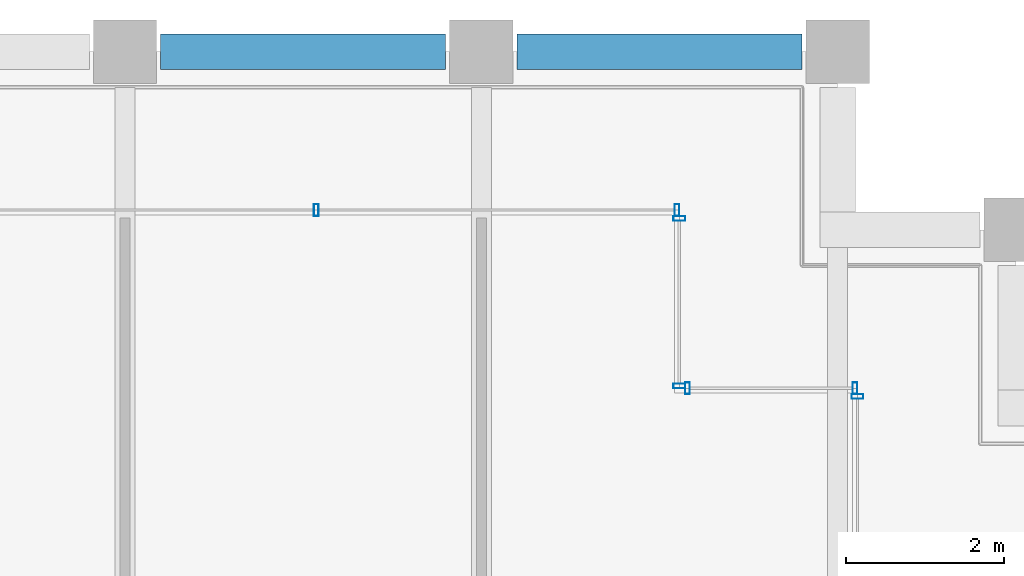
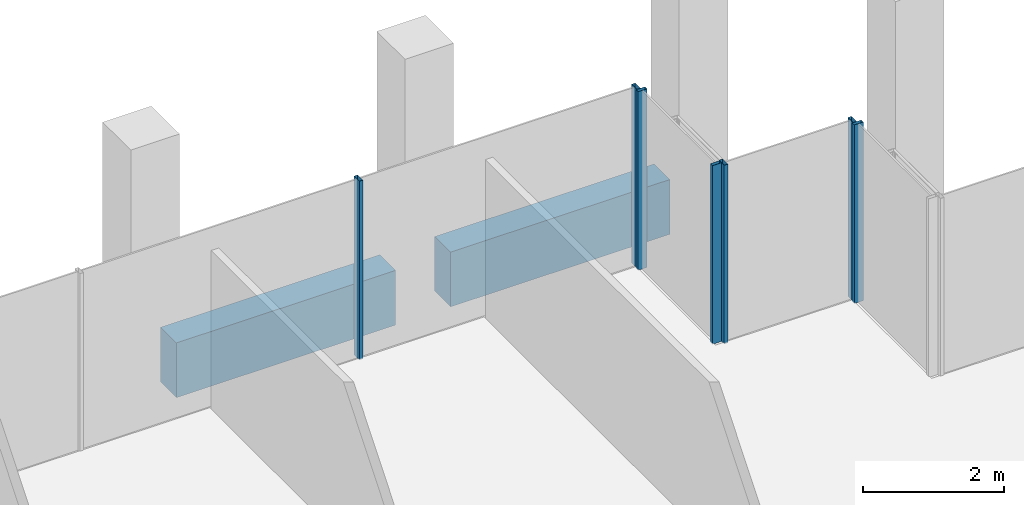
# One storey, part 26 of 40: 7 members, 2 beams, 4 elements without a shape of their own.
"""IFC4 building model written with IfcOpenShell, lengths in metres."""

import ifcopenshell
import ifcopenshell.guid

model = None  # the IFC model being written
_history = None  # IfcOwnerHistory: only IFC2X3 demands one
_inside = {}  # id of a spatial element -> (the spatial element, [elements in it])
_under = {}  # id of a project, library or spatial element -> (it, [spatial elements below it])
_declared = {}  # id of a project -> (the project, [libraries it declares])
_typed = {}  # id of a type object -> (the type object, [elements of that type])
_made_of = {}  # id of a material, layer set ... -> (it, [elements and type objects made of it])


def new_model(schema):
    """Start an empty IFC model of exactly this schema.

    Asked for "IFC4X3", IfcOpenShell would pick the latest addendum, in which some entities
    have other attributes; the version numbers below select the first issue.
    IFC2X3 requires an IfcOwnerHistory on every rooted entity: one is made here for all.
    """
    global model, _history
    if schema == "IFC4X3":
        model = ifcopenshell.file(schema_version=(4, 3, 0, 0))
    else:
        model = ifcopenshell.file(schema=schema)
    _inside.clear()
    _under.clear()
    _declared.clear()
    _typed.clear()
    _made_of.clear()
    _history = None
    if model.schema == "IFC2X3":
        org = make("IfcOrganization", Name="unknown")
        user = make(
            "IfcPersonAndOrganization",
            ThePerson=make("IfcPerson", FamilyName="unknown"),
            TheOrganization=org,
        )
        app = make(
            "IfcApplication",
            ApplicationDeveloper=org,
            Version="unknown",
            ApplicationFullName="unknown",
            ApplicationIdentifier="unknown",
        )
        _history = make(
            "IfcOwnerHistory",
            OwningUser=user,
            OwningApplication=app,
            ChangeAction="ADDED",
            CreationDate=0,
        )
    return model


def make(cls, **values):
    """One entity of the class cls with the attributes given. An attribute that is None is left unset."""
    return model.create_entity(
        cls, **{name: value for name, value in values.items() if value is not None}
    )


def rooted(cls, **values):
    """An entity with a GlobalId (a new one), such as an element, a storey or a relation."""
    return make(cls, GlobalId=ifcopenshell.guid.new(), OwnerHistory=_history, **values)


def si_unit(unit_type, name, prefix=None):
    """IfcSIUnit, for example si_unit("LENGTHUNIT", "METRE", prefix="MILLI")."""
    return make("IfcSIUnit", UnitType=unit_type, Prefix=prefix, Name=name)


def assignment(units):
    """IfcUnitAssignment: the units of a project."""
    return None if units is None else make("IfcUnitAssignment", Units=units)


def point(xyz):
    """IfcCartesianPoint."""
    return None if xyz is None else make("IfcCartesianPoint", Coordinates=xyz)


def direction(xyz):
    """IfcDirection."""
    return None if xyz is None else make("IfcDirection", DirectionRatios=xyz)


def frame(location, z_axis=None, x_axis=None):
    """IfcAxis2Placement3D, a coordinate frame: its origin and axes. An axis left out is left unset."""
    return make(
        "IfcAxis2Placement3D",
        Location=point(location),
        Axis=direction(z_axis),
        RefDirection=direction(x_axis),
    )


def frame_2d(location, x_axis=None):
    """IfcAxis2Placement2D, a coordinate frame in the plane: its origin and x axis."""
    return make(
        "IfcAxis2Placement2D", Location=point(location), RefDirection=direction(x_axis)
    )


def origin():
    """The frame at (0, 0, 0) with its axes left unset."""
    return frame((0.0, 0.0, 0.0))


def origin_2d():
    """The frame at (0, 0) in the plane with its x axis left unset."""
    return frame_2d((0.0, 0.0))


def place(relative_to, where):
    """IfcLocalPlacement: puts the frame where relative to a parent placement (None: the world)."""
    return make(
        "IfcLocalPlacement", PlacementRelTo=relative_to, RelativePlacement=where
    )


def context(
    kind, dimensions, precision=None, world=None, true_north=None, identifier=None
):
    """IfcGeometricRepresentationContext, for example the 3D "Model" context."""
    return make(
        "IfcGeometricRepresentationContext",
        ContextIdentifier=identifier,
        ContextType=kind,
        CoordinateSpaceDimension=dimensions,
        Precision=precision,
        WorldCoordinateSystem=world,
        TrueNorth=true_north,
    )


def subcontext(parent, identifier, kind, view, scale=None):
    """IfcGeometricRepresentationSubContext, for example "Body" below "Model"."""
    return make(
        "IfcGeometricRepresentationSubContext",
        ContextIdentifier=identifier,
        ContextType=kind,
        ParentContext=parent,
        TargetScale=scale,
        TargetView=view,
    )


def project(units=None, contexts=None):
    """IfcProject with its units and contexts."""
    return rooted(
        "IfcProject",
        Name="project",
        RepresentationContexts=contexts,
        UnitsInContext=assignment(units),
    )


def spatial(cls, under=None, at=None, **own):
    """A site, building, storey or space (cls), placed at a placement, below another one or the project."""
    s = rooted(cls, ObjectPlacement=at, **own)
    if under is not None:
        _under.setdefault(under.id(), (under, []))[1].append(s)
    return s


def profile(cls, at=None, kind="AREA", **sizes):
    """A parametric profile (cls). Its sizes go by their IFC names, for example OverallWidth=200.0."""
    return make(cls, ProfileType=kind, Position=at, **sizes)


def rectangle(**sizes):
    """IfcRectangleProfileDef."""
    return profile("IfcRectangleProfileDef", **sizes)


def hollow_rectangle(**sizes):
    """IfcRectangleHollowProfileDef."""
    return profile("IfcRectangleHollowProfileDef", **sizes)


def extrude(swept, where, along, depth):
    """IfcExtrudedAreaSolid: the profile swept, set in the frame where, extruded along a direction by depth."""
    return make(
        "IfcExtrudedAreaSolid",
        SweptArea=swept,
        Position=where,
        ExtrudedDirection=direction(along),
        Depth=depth,
    )


def shape(context_of_items, identifier, shape_type, items):
    """IfcShapeRepresentation: the items that make up one representation, for example the "Body"."""
    return make(
        "IfcShapeRepresentation",
        ContextOfItems=context_of_items,
        RepresentationIdentifier=identifier,
        RepresentationType=shape_type,
        Items=items,
    )


def material(Name=None, Category=None):
    """IfcMaterial."""
    return make("IfcMaterial", Name=Name, Category=Category)


def material_profile(
    of_material, cross_section, Name=None, Category=None, Priority=None
):
    """IfcMaterialProfile: a cross section and its material."""
    return make(
        "IfcMaterialProfile",
        Name=Name,
        Material=of_material,
        Profile=cross_section,
        Priority=Priority,
        Category=Category,
    )


def profile_set(profiles, Name=None, composite=None):
    """IfcMaterialProfileSet."""
    return make(
        "IfcMaterialProfileSet",
        Name=Name,
        MaterialProfiles=profiles,
        CompositeProfile=composite,
    )


def made_of(thing, what):
    """Note that an element or type object is made of a material, layer set ...; save() writes the relation."""
    if what is not None:
        _made_of.setdefault(what.id(), (what, []))[1].append(thing)
    return thing


def type_object(cls, material=None, **own):
    """A type object (cls), such as IfcWallType, which elements share."""
    return made_of(rooted(cls, **own), material)


def element(
    cls,
    number,
    at=None,
    inside=None,
    cuts=None,
    type_object=None,
    material=None,
    context=None,
    identifier="Body",
    shape_type=None,
    held_by="IfcProductDefinitionShape",
    body=None,
    shapes=None,
    **own,
):
    """One element of the class cls, such as IfcWall. Its Tag is "e" and its number.

    at: its placement. inside: the storey or other place that contains it. cuts: it is an
    opening in that element (IfcRelVoidsElement). A single representation is given by context,
    identifier, shape_type and body (its items); several are given by shapes. held_by: the class
    of the entity that holds the representations. save() writes the other relations.
    """
    e = rooted(cls, Tag="e%d" % number, ObjectPlacement=at, **own)
    if body is not None:
        shapes = [shape(context, identifier, shape_type, body)]
    if shapes is not None:
        e.Representation = make(held_by, Representations=shapes)
    if inside is not None:
        _inside.setdefault(inside.id(), (inside, []))[1].append(e)
    if cuts is not None:
        rooted(
            "IfcRelVoidsElement", RelatingBuildingElement=cuts, RelatedOpeningElement=e
        )
    if type_object is not None:
        _typed.setdefault(type_object.id(), (type_object, []))[1].append(e)
    return made_of(e, material)


def aggregate(whole, parts):
    """IfcRelAggregates: a whole, such as a stair, and the parts it consists of."""
    return rooted("IfcRelAggregates", RelatingObject=whole, RelatedObjects=parts)


def save(model, path):
    """Write the relations noted so far, then the file.

    IfcRelAggregates (storeys below a building ...), IfcRelContainedInSpatialStructure (elements
    in a storey), IfcRelDefinesByType, IfcRelAssociatesMaterial and IfcRelDeclares: one each for
    every whole, place, type object, material and project.
    """
    for whole, parts in _under.values():
        aggregate(whole, parts)
    for where, things in _inside.values():
        rooted(
            "IfcRelContainedInSpatialStructure",
            RelatedElements=things,
            RelatingStructure=where,
        )
    for kind, things in _typed.values():
        rooted("IfcRelDefinesByType", RelatedObjects=things, RelatingType=kind)
    for what, things in _made_of.values():
        rooted("IfcRelAssociatesMaterial", RelatedObjects=things, RelatingMaterial=what)
    for by, libraries in _declared.values():
        rooted("IfcRelDeclares", RelatingContext=by, RelatedDefinitions=libraries)
    model.write(path)


model = new_model("IFC4")

# Units and contexts
model_context = context("Model", 3, precision=1e-05, world=origin(), true_north=direction((0.0, 1.0)))
body_context = subcontext(model_context, "Body", "Model", "MODEL_VIEW")
ifc_project = project(units=[si_unit("LENGTHUNIT", "METRE"), si_unit("AREAUNIT", "SQUARE_METRE"), si_unit("VOLUMEUNIT", "CUBIC_METRE"), si_unit("PLANEANGLEUNIT", "RADIAN"), si_unit("MASSUNIT", "GRAM", prefix="KILO")], contexts=[model_context])

# Site, building, storey
site_placement = place(None, origin())
site = spatial("IfcSite", under=ifc_project, at=site_placement, CompositionType="ELEMENT")
building_placement = place(site_placement, origin())
building = spatial("IfcBuilding", under=site, at=building_placement, Name="Altepetl Exchange Towers", CompositionType="ELEMENT")
storey_placement = place(building_placement, frame((0.0, 0.0, 195.60009765625)))
storey = spatial("IfcBuildingStorey", under=building, at=storey_placement, Name="L49", CompositionType="ELEMENT", Elevation=195.60009765625)

# Curtain wall, member
ifc_material_1 = material(Name="Aluminium 6063-T6 glazing", Category="aluminium")
curtain_wall_type = type_object("IfcCurtainWallType", Name="Loggia glazing system", PredefinedType="NOTDEFINED", material=ifc_material_1)
curtain_wall_1_placement = place(storey_placement, origin())
curtain_wall_1 = element("IfcCurtainWall", 1, at=curtain_wall_1_placement, inside=storey, type_object=curtain_wall_type, Name="CW1 run", PredefinedType="NOTDEFINED")
ifc_material_2 = material(Name="Aluminium 6063-T6", Category="aluminium")
ifc_material_profile_1 = material_profile(ifc_material_2, hollow_rectangle(XDim=0.06005859375, YDim=0.14990234375, WallThickness=0.0029296875, at=origin_2d()), Name="Mullion 60x150 aluminium")
ifc_profile_set_1 = profile_set([ifc_material_profile_1], Name="Aluminium 6063-T6")
member_type = type_object("IfcMemberType", Name="Mullion 60x150 aluminium", PredefinedType="MULLION", material=ifc_profile_set_1)
member_1_placement = place(storey_placement, frame((67.75, 67.64501953125, 0.0), z_axis=(0.0, 0.0, 1.0), x_axis=(0.0, 1.0, 0.0)))
member_1 = element("IfcMember", 2, at=member_1_placement, type_object=member_type, Name="MU1 mullion", PredefinedType="MULLION", context=body_context, shape_type="SweptSolid", body=[
    extrude(hollow_rectangle(XDim=0.06005859375, YDim=0.14990234375, WallThickness=0.0029296875, at=origin_2d()), origin(), (0.0, 0.0, 1.0), 3.099853515625),
])
aggregate(curtain_wall_1, [member_1])

# Curtain wall, members
curtain_wall_2_placement = place(storey_placement, origin())
curtain_wall_2 = element("IfcCurtainWall", 3, at=curtain_wall_2_placement, inside=storey, type_object=curtain_wall_type, Name="CW1 run", PredefinedType="NOTDEFINED")
member_2_placement = place(storey_placement, frame((67.719970703125, 67.75, 0.0), z_axis=(0.0, 0.0, 1.0), x_axis=(-1.0, 0.0, 0.0)))
member_2 = element("IfcMember", 4, at=member_2_placement, type_object=member_type, Name="MU1 mullion", PredefinedType="MULLION", context=body_context, shape_type="SweptSolid", body=[
    extrude(hollow_rectangle(XDim=0.06005859375, YDim=0.14990234375, WallThickness=0.0029296875, at=origin_2d()), origin(), (0.0, 0.0, 1.0), 3.099853515625),
])
member_3_placement = place(storey_placement, frame((65.60498046875, 67.75, 0.0), z_axis=(0.0, 0.0, 1.0), x_axis=(-1.0, 0.0, 0.0)))
member_3 = element("IfcMember", 5, at=member_3_placement, type_object=member_type, Name="MU1 mullion", PredefinedType="MULLION", context=body_context, shape_type="SweptSolid", body=[
    extrude(hollow_rectangle(XDim=0.06005859375, YDim=0.14990234375, WallThickness=0.0029296875, at=origin_2d()), origin(), (0.0, 0.0, 1.0), 3.099853515625),
])
aggregate(curtain_wall_2, [member_2, member_3])

curtain_wall_3_placement = place(storey_placement, origin())
curtain_wall_3 = element("IfcCurtainWall", 6, at=curtain_wall_3_placement, inside=storey, type_object=curtain_wall_type, Name="CW1 run", PredefinedType="NOTDEFINED")
member_4_placement = place(storey_placement, frame((65.5, 67.780029296875, 0.0), z_axis=(0.0, 0.0, 1.0), x_axis=(0.0, 1.0, 0.0)))
member_4 = element("IfcMember", 7, at=member_4_placement, type_object=member_type, Name="MU1 mullion", PredefinedType="MULLION", context=body_context, shape_type="SweptSolid", body=[
    extrude(hollow_rectangle(XDim=0.06005859375, YDim=0.14990234375, WallThickness=0.0029296875, at=origin_2d()), origin(), (0.0, 0.0, 1.0), 3.099853515625),
])
member_5_placement = place(storey_placement, frame((65.5, 69.89501953125, 0.0), z_axis=(0.0, 0.0, 1.0), x_axis=(0.0, 1.0, 0.0)))
member_5 = element("IfcMember", 8, at=member_5_placement, type_object=member_type, Name="MU1 mullion", PredefinedType="MULLION", context=body_context, shape_type="SweptSolid", body=[
    extrude(hollow_rectangle(XDim=0.06005859375, YDim=0.14990234375, WallThickness=0.0029296875, at=origin_2d()), origin(), (0.0, 0.0, 1.0), 3.099853515625),
])
aggregate(curtain_wall_3, [member_4, member_5])

curtain_wall_4_placement = place(storey_placement, origin())
curtain_wall_4 = element("IfcCurtainWall", 9, at=curtain_wall_4_placement, inside=storey, type_object=curtain_wall_type, Name="CW1 run", PredefinedType="NOTDEFINED")
member_6_placement = place(storey_placement, frame((65.469970703125, 70.0, 0.0), z_axis=(0.0, 0.0, 1.0), x_axis=(-1.0, 0.0, 0.0)))
member_6 = element("IfcMember", 10, at=member_6_placement, type_object=member_type, Name="MU1 mullion", PredefinedType="MULLION", context=body_context, shape_type="SweptSolid", body=[
    extrude(hollow_rectangle(XDim=0.06005859375, YDim=0.14990234375, WallThickness=0.0029296875, at=origin_2d()), origin(), (0.0, 0.0, 1.0), 3.099853515625),
])
member_7_placement = place(storey_placement, frame((60.9150390625, 70.0, 0.0), z_axis=(0.0, 0.0, 1.0), x_axis=(-1.0, 0.0, 0.0)))
member_7 = element("IfcMember", 11, at=member_7_placement, type_object=member_type, Name="MU1 mullion", PredefinedType="MULLION", context=body_context, shape_type="SweptSolid", body=[
    extrude(hollow_rectangle(XDim=0.06005859375, YDim=0.14990234375, WallThickness=0.0029296875, at=origin_2d()), origin(), (0.0, 0.0, 1.0), 3.099853515625),
])
aggregate(curtain_wall_4, [member_6, member_7])

# Beams
ifc_material_3 = material(Name="Concrete C50/60 precast with cantera rosa facing", Category="concrete")
ifc_material_profile_2 = material_profile(ifc_material_3, rectangle(XDim=0.449951171875, YDim=0.949951171875, at=origin_2d()), Name="450 x 950")
ifc_profile_set_2 = profile_set([ifc_material_profile_2], Name="Concrete C50/60 precast with cantera rosa facing")
beam_type = type_object("IfcBeamType", Name="Spandrel beam 450x950 cantera rosa", PredefinedType="SPANDREL", material=ifc_profile_set_2)
for number, where, z_axis, x_axis, name in (
    (12, (67.050048828125, 72.0, -0.625), (-1.0, 0.0, 0.0), (0.0, -1.0, 0.0), "sp:A:L49:024"),
    (13, (62.550048828125, 72.0, -0.625), (-1.0, 0.0, 0.0), (0.0, -1.0, 0.0), "sp:A:L49:025"),
):
    element("IfcBeam", number, at=place(storey_placement, frame(where, z_axis=z_axis, x_axis=x_axis)), inside=storey, type_object=beam_type, Name=name, PredefinedType="SPANDREL", context=body_context, shape_type="SweptSolid", body=[
        extrude(rectangle(XDim=0.449951171875, YDim=0.949951171875, at=origin_2d()), origin(), (0.0, 0.0, 1.0), 3.60009765625),
    ])

save(model, "model.ifc")
